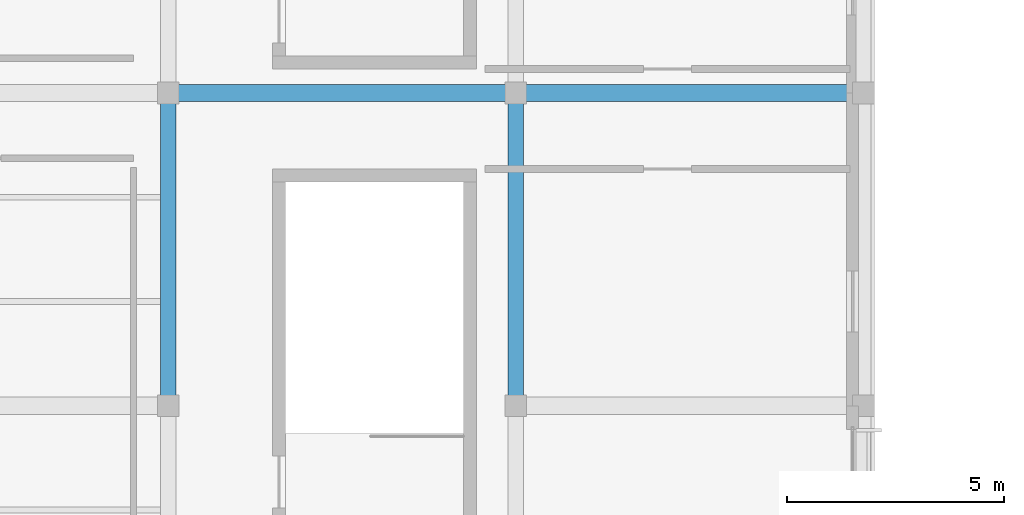
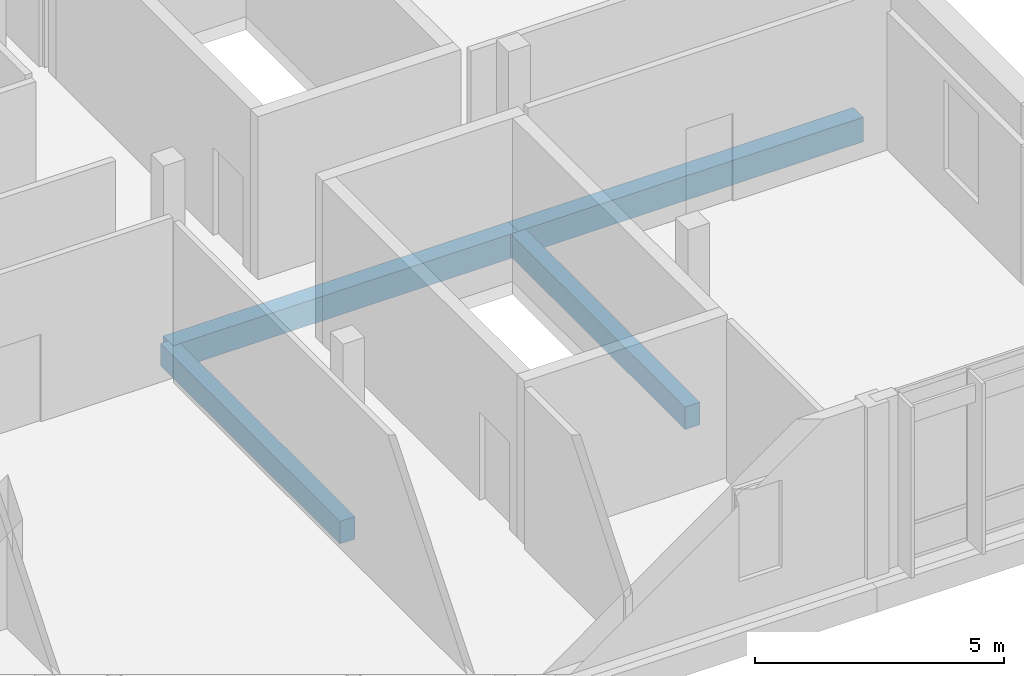
# One storey, part 26 of 182: 4 beams.
"""IFC4 building model written with IfcOpenShell, lengths in metres."""

from ifc_helpers import new_model, si_unit, direction, frame, origin, origin_2d, place, context, subcontext, project, spatial, rectangle, extrude, material, material_profile, profile_set, type_object, element, save


model = new_model("IFC4")

# Units and contexts
model_context = context("Model", 3, precision=1e-05, world=origin(), true_north=direction((0.0, 1.0)))
body_context = subcontext(model_context, "Body", "Model", "MODEL_VIEW")
ifc_project = project(units=[si_unit("LENGTHUNIT", "METRE"), si_unit("AREAUNIT", "SQUARE_METRE"), si_unit("VOLUMEUNIT", "CUBIC_METRE"), si_unit("PLANEANGLEUNIT", "RADIAN"), si_unit("MASSUNIT", "GRAM", prefix="KILO")], contexts=[model_context])

# Site, building, storey
site_placement = place(None, origin())
site = spatial("IfcSite", under=ifc_project, at=site_placement, CompositionType="ELEMENT")
building_placement = place(site_placement, origin())
building = spatial("IfcBuilding", under=site, at=building_placement, Name="Chiffa Square Polytechnic", CompositionType="ELEMENT")
storey_placement = place(building_placement, frame((0.0, 0.0, 9.60009765625)))
storey = spatial("IfcBuildingStorey", under=building, at=storey_placement, Name="L02", CompositionType="ELEMENT", Elevation=9.60009765625)

# Beams
ifc_material = material(Name="Concrete C35/45", Category="concrete")
ifc_material_profile_1 = material_profile(ifc_material, rectangle(XDim=0.35009765625, YDim=0.550048828125, at=origin_2d()), Name="RC 350x550")
ifc_profile_set_1 = profile_set([ifc_material_profile_1], Name="Concrete C35/45")
beam_type_1 = type_object("IfcBeamType", Name="BM-RC-350X550", PredefinedType="BEAM", material=ifc_profile_set_1)
for number, where, z_axis, x_axis, name in (
    (1, (32.0, 7.199951171875, -0.59521484375), (0.0, 1.0, 0.0), (-1.0, 0.0, 0.0), "Primary floor girder BM-V3-L02-Y-0320-0072"),
    (2, (40.0, 7.199951171875, -0.59521484375), (0.0, 1.0, 0.0), (-1.0, 0.0, 0.0), "Primary floor girder BM-V3-L02-Y-0400-0072"),
):
    element("IfcBeam", number, at=place(storey_placement, frame(where, z_axis=z_axis, x_axis=x_axis)), inside=storey, type_object=beam_type_1, Name=name, PredefinedType="BEAM", context=body_context, shape_type="SweptSolid", body=[
        extrude(rectangle(XDim=0.35009765625, YDim=0.550048828125, at=origin_2d()), origin(), (0.0, 0.0, 1.0), 7.199951171875),
    ])
ifc_material_profile_2 = material_profile(ifc_material, rectangle(XDim=0.39990234375, YDim=0.60009765625, at=origin_2d()), Name="RC 400x600")
ifc_profile_set_2 = profile_set([ifc_material_profile_2], Name="Concrete C35/45")
beam_type_2 = type_object("IfcBeamType", Name="BM-RC-400X600", PredefinedType="BEAM", material=ifc_profile_set_2)
for number, where, z_axis, x_axis, name in (
    (3, (32.0, 14.39990234375, -0.6201171875), (1.0, 0.0, 0.0), (0.0, 1.0, 0.0), "Primary floor girder BM-V3-L02-X-0320-0144"),
    (4, (40.0, 14.39990234375, -0.6201171875), (1.0, 0.0, 0.0), (0.0, 1.0, 0.0), "Primary floor girder BM-V3-L02-X-0400-0144"),
):
    element("IfcBeam", number, at=place(storey_placement, frame(where, z_axis=z_axis, x_axis=x_axis)), inside=storey, type_object=beam_type_2, Name=name, PredefinedType="BEAM", context=body_context, shape_type="SweptSolid", body=[
        extrude(rectangle(XDim=0.39990234375, YDim=0.60009765625, at=origin_2d()), origin(), (0.0, 0.0, 1.0), 8.0),
    ])

save(model, "model.ifc")
